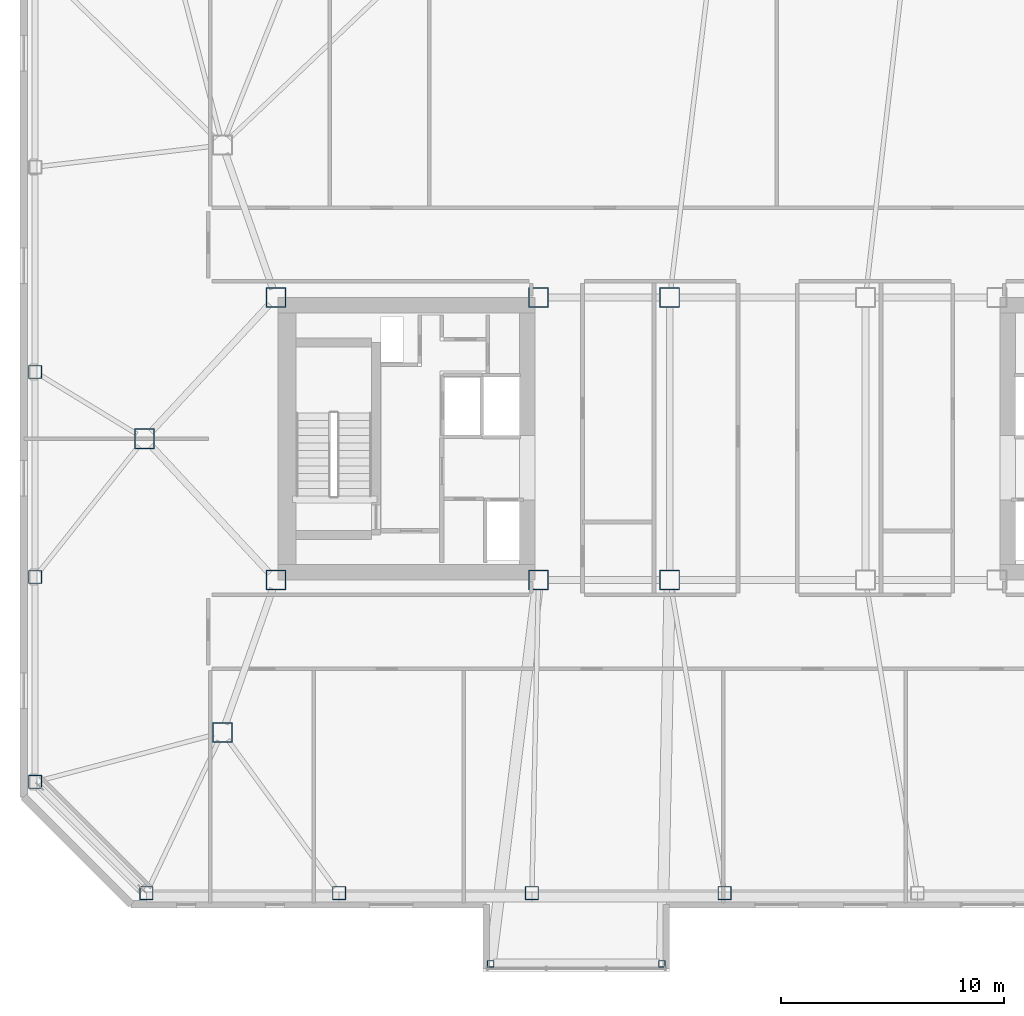
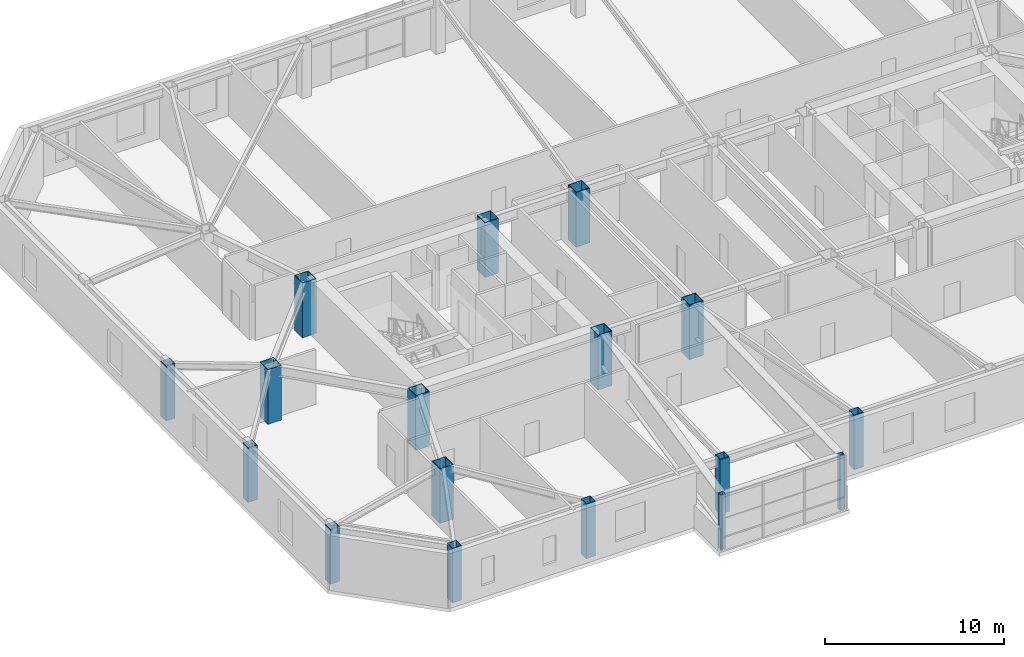
# One storey, part 1 of 19: 17 columns.
"""IFC4 building model written with IfcOpenShell, lengths in metres."""

from ifc_helpers import new_model, si_unit, direction, frame, origin, origin_2d, place, context, subcontext, project, spatial, hollow_rectangle, extrude, material, material_profile, profile_set, type_object, element, save


model = new_model("IFC4")

# Units and contexts
model_context = context("Model", 3, precision=1e-05, world=origin(), true_north=direction((0.0, 1.0)))
body_context = subcontext(model_context, "Body", "Model", "MODEL_VIEW")
ifc_project = project(units=[si_unit("LENGTHUNIT", "METRE"), si_unit("AREAUNIT", "SQUARE_METRE"), si_unit("VOLUMEUNIT", "CUBIC_METRE"), si_unit("PLANEANGLEUNIT", "RADIAN"), si_unit("MASSUNIT", "GRAM", prefix="KILO")], contexts=[model_context])

# Site, building, storey
site_placement = place(None, origin())
site = spatial("IfcSite", under=ifc_project, at=site_placement, CompositionType="ELEMENT")
building_placement = place(site_placement, origin())
building = spatial("IfcBuilding", under=site, at=building_placement, Name="Tavrogorsk Clinical Tower", CompositionType="ELEMENT")
storey_placement = place(building_placement, frame((0.0, 0.0, 156.199951171875)))
storey = spatial("IfcBuildingStorey", under=building, at=storey_placement, Name="L35", CompositionType="ELEMENT", Elevation=156.199951171875)

# Columns
ifc_material_1 = material(Name="Structural steel S390", Category="steel")
ifc_material_profile_1 = material_profile(ifc_material_1, hollow_rectangle(XDim=0.300048828125, YDim=0.300048828125, WallThickness=0.01611328125, at=origin_2d()), Name="SHS-300x300x16")
ifc_profile_set_1 = profile_set([ifc_material_profile_1], Name="Structural steel S390")
column_type_1 = type_object("IfcColumnType", Name="DayroomCol_SHS300", PredefinedType="COLUMN", material=ifc_profile_set_1)
for number, where, z_axis, x_axis, name in (
    (1, (-12.449951171875, -23.60009765625, 0.0), (0.0, 0.0, 1.0), (1.0, 0.0, 0.0), "L35 Day-Room Box Column DRB-05-L"),
    (2, (-4.75, -23.60009765625, 0.0), (0.0, 0.0, 1.0), (1.0, 0.0, 0.0), "L35 Day-Room Box Column DRB-05-R"),
):
    element("IfcColumn", number, at=place(storey_placement, frame(where, z_axis=z_axis, x_axis=x_axis)), inside=storey, type_object=column_type_1, Name=name, PredefinedType="COLUMN", context=body_context, shape_type="SweptSolid", body=[
        extrude(hollow_rectangle(XDim=0.300048828125, YDim=0.300048828125, WallThickness=0.01611328125, at=origin_2d()), origin(), (0.0, 0.0, 1.0), 3.739990234375),
    ])
ifc_material_2 = material(Name="Structural steel S440", Category="steel")
ifc_material_profile_2 = material_profile(ifc_material_2, hollow_rectangle(XDim=0.89990234375, YDim=0.89990234375, WallThickness=0.0400390625, at=origin_2d()), Name="BOX-900x900x40")
ifc_profile_set_2 = profile_set([ifc_material_profile_2], Name="Structural steel S440")
column_type_2 = type_object("IfcColumnType", Name="MegaCol_BOX900", PredefinedType="COLUMN", material=ifc_profile_set_2)
for number, where, z_axis, x_axis, name in (
    (3, (-22.10009765625, -6.35009765625, 0.0), (0.0, 0.0, 1.0), (1.0, 0.0, 0.0), "L35 Mega Column MC-W1"),
    (4, (-22.10009765625, 6.35009765625, 0.0), (0.0, 0.0, 1.0), (1.0, 0.0, 0.0), "L35 Mega Column MC-W2"),
    (5, (-10.300048828125, -6.35009765625, 0.0), (0.0, 0.0, 1.0), (1.0, 0.0, 0.0), "L35 Mega Column MC-W3"),
    (6, (-10.300048828125, 6.35009765625, 0.0), (0.0, 0.0, 1.0), (1.0, 0.0, 0.0), "L35 Mega Column MC-W4"),
    (7, (-4.39990234375, -6.35009765625, 0.0), (0.0, 0.0, 1.0), (1.0, 0.0, 0.0), "L35 Mega Column MC-C1"),
    (8, (-4.39990234375, 6.35009765625, 0.0), (0.0, 0.0, 1.0), (1.0, 0.0, 0.0), "L35 Mega Column MC-C3"),
    (9, (-24.5, -13.199951171875, 0.0), (0.0, 0.0, 1.0), (1.0, 0.0, 0.0), "L35 Spine Pilotis Column MC-P1"),
    (10, (-28.0, 0.0, 0.0), (0.0, 0.0, 1.0), (1.0, 0.0, 0.0), "L35 Spine Pilotis Column MC-P5"),
):
    element("IfcColumn", number, at=place(storey_placement, frame(where, z_axis=z_axis, x_axis=x_axis)), inside=storey, type_object=column_type_2, Name=name, PredefinedType="COLUMN", context=body_context, shape_type="SweptSolid", body=[
        extrude(hollow_rectangle(XDim=0.89990234375, YDim=0.89990234375, WallThickness=0.0400390625, at=origin_2d()), origin(), (0.0, 0.0, 1.0), 3.739990234375),
    ])
ifc_material_3 = material(Name="Structural steel S440", Category="steel")
ifc_material_profile_3 = material_profile(ifc_material_3, hollow_rectangle(XDim=0.60009765625, YDim=0.60009765625, WallThickness=0.028076171875, at=origin_2d()), Name="BOX-600x600x28")
ifc_profile_set_3 = profile_set([ifc_material_profile_3], Name="Structural steel S440")
column_type_3 = type_object("IfcColumnType", Name="PerimCol_B3_BOX600", PredefinedType="COLUMN", material=ifc_profile_set_3)
for number, where, z_axis, x_axis, name in (
    (11, (-27.919921875, -20.419921875, 0.0), (0.0, 0.0, 1.0), (1.0, 0.0, 0.0), "L35 Perimeter Column S1"),
    (12, (-19.257080078125, -20.419921875, 0.0), (0.0, 0.0, 1.0), (1.0, 0.0, 0.0), "L35 Perimeter Column S2"),
    (13, (-10.59423828125, -20.419921875, 0.0), (0.0, 0.0, 1.0), (1.0, 0.0, 0.0), "L35 Perimeter Column S3"),
    (14, (-1.931396484375, -20.419921875, 0.0), (0.0, 0.0, 1.0), (1.0, 0.0, 0.0), "L35 Perimeter Column S4"),
    (15, (-32.919921875, 3.0, 0.0), (0.0, 0.0, 1.0), (1.0, 0.0, 0.0), "L35 Perimeter Column W3"),
    (16, (-32.919921875, -6.2099609375, 0.0), (0.0, 0.0, 1.0), (1.0, 0.0, 0.0), "L35 Perimeter Column W4"),
    (17, (-32.919921875, -15.419921875, 0.0), (0.0, 0.0, 1.0), (1.0, 0.0, 0.0), "L35 Perimeter Column W5"),
):
    element("IfcColumn", number, at=place(storey_placement, frame(where, z_axis=z_axis, x_axis=x_axis)), inside=storey, type_object=column_type_3, Name=name, PredefinedType="COLUMN", context=body_context, shape_type="SweptSolid", body=[
        extrude(hollow_rectangle(XDim=0.60009765625, YDim=0.60009765625, WallThickness=0.028076171875, at=origin_2d()), origin(), (0.0, 0.0, 1.0), 3.739990234375),
    ])

save(model, "model.ifc")
